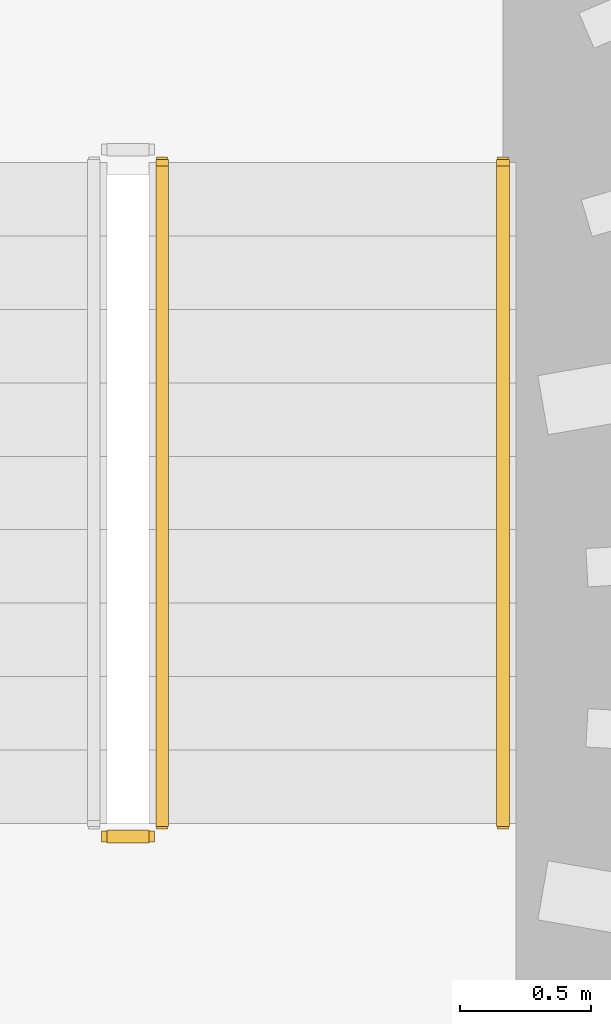
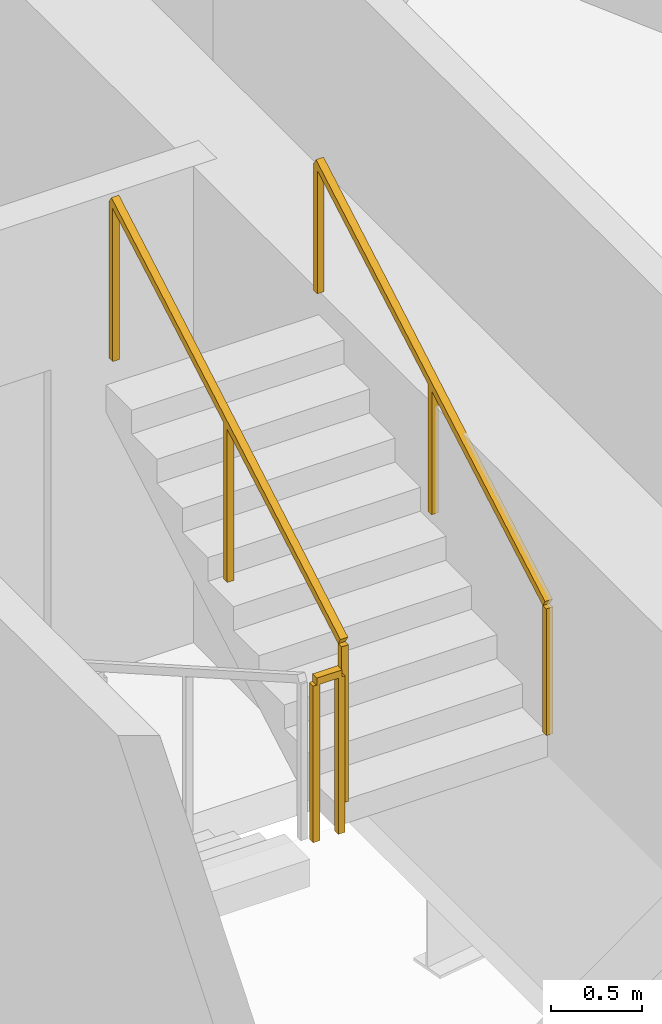
# One storey, part 12 of 14: 3 railings.
"""IFC4 building model written with IfcOpenShell, lengths in metres."""

from ifc_helpers import new_model, si_unit, direction, frame, origin, origin_2d, place, context, subcontext, project, spatial, rectangle, extrude, material, type_object, element, save


model = new_model("IFC4")

# Units and contexts
model_context = context("Model", 3, precision=1e-05, world=origin(), true_north=direction((0.0, 1.0)))
body_context = subcontext(model_context, "Body", "Model", "MODEL_VIEW")
ifc_project = project(units=[si_unit("LENGTHUNIT", "METRE"), si_unit("AREAUNIT", "SQUARE_METRE"), si_unit("VOLUMEUNIT", "CUBIC_METRE"), si_unit("PLANEANGLEUNIT", "RADIAN"), si_unit("MASSUNIT", "GRAM", prefix="KILO")], contexts=[model_context])

# Site, building, storey
site_placement = place(None, origin())
site = spatial("IfcSite", under=ifc_project, at=site_placement, CompositionType="ELEMENT")
building_placement = place(site_placement, origin())
building = spatial("IfcBuilding", under=site, at=building_placement, Name="Veldorim Arch Residences", CompositionType="ELEMENT")
storey_placement = place(building_placement, frame((0.0, 0.0, 129.760009765625)))
storey = spatial("IfcBuildingStorey", under=building, at=storey_placement, Name="L38", CompositionType="ELEMENT", Elevation=129.760009765625)

# Railings
ifc_material_1 = material(Name="Steel S355", Category="steel")
railing_type_1 = type_object("IfcRailingType", Name="Galvanised Steel Stair Safety Guardrail 1100", PredefinedType="GUARDRAIL", material=ifc_material_1)
railing_1_placement = place(storey_placement, frame((35.68994140625, 23.280029296875, 1.60009765625)))
element("IfcRailing", 1, at=railing_1_placement, inside=storey, type_object=railing_type_1, Name="L38 ST-2 stair guard 2", PredefinedType="GUARDRAIL", context=body_context, shape_type="SweptSolid", body=[
    extrude(rectangle(XDim=0.048095703125, YDim=0.048095703125, at=origin_2d()), frame((0.0, 0.0, 1.076171875), z_axis=(1.0, 0.0, 0.0), x_axis=(0.0, 1.0, 0.0)), (0.0, 0.0, 1.0), 0.16015625),
    extrude(rectangle(XDim=0.0419921875, YDim=0.0419921875, at=origin_2d()), origin(), (0.0, 0.0, 1.0), 1.052001953125),
    extrude(rectangle(XDim=0.0419921875, YDim=0.0419921875, at=origin_2d()), frame((0.16015625, 0.0, 0.0)), (0.0, 0.0, 1.0), 1.052001953125),
])
railing_2_placement = place(storey_placement, frame((35.89990234375, 23.330078125, 1.760009765625)))
element("IfcRailing", 2, at=railing_2_placement, inside=storey, type_object=railing_type_1, Name="L38 ST-2 stair guard 3", PredefinedType="GUARDRAIL", context=body_context, shape_type="SweptSolid", body=[
    extrude(rectangle(XDim=0.048095703125, YDim=0.048095703125, at=origin_2d()), frame((0.0, 0.0, 1.076171875), z_axis=(0.0, 0.868253494771, 0.496120820787), x_axis=(-1.0, 0.0, 0.0)), (0.0, 0.0, 1.0), 2.90234375),
    extrude(rectangle(XDim=0.0419921875, YDim=0.0419921875, at=origin_2d()), origin(), (0.0, 0.0, 1.0), 1.052001953125),
    extrude(rectangle(XDim=0.0419921875, YDim=0.0419921875, at=origin_2d()), frame((0.0, 1.260009765625, 0.719970703125)), (0.0, 0.0, 1.0), 1.052001953125),
    extrude(rectangle(XDim=0.0419921875, YDim=0.0419921875, at=origin_2d()), frame((0.0, 2.52001953125, 1.43994140625)), (0.0, 0.0, 1.0), 1.052001953125),
])
ifc_material_2 = material(Name="Stainless Steel", Category="steel")
railing_type_2 = type_object("IfcRailingType", Name="Tubular Steel Continuous Wall Handrail 900", PredefinedType="HANDRAIL", material=ifc_material_2)
railing_3_placement = place(storey_placement, frame((37.199951171875, 23.330078125, 1.760009765625)))
element("IfcRailing", 3, at=railing_3_placement, inside=storey, type_object=railing_type_2, Name="L38 ST-2 stair handrail 2", PredefinedType="HANDRAIL", context=body_context, shape_type="SweptSolid", body=[
    extrude(rectangle(XDim=0.048095703125, YDim=0.048095703125, at=origin_2d()), frame((0.0, 0.0, 0.8759765625), z_axis=(0.0, 0.868253494771, 0.496120820787), x_axis=(-1.0, 0.0, 0.0)), (0.0, 0.0, 1.0), 2.90234375),
    extrude(rectangle(XDim=0.0419921875, YDim=0.0419921875, at=origin_2d()), origin(), (0.0, 0.0, 1.0), 0.851806640625),
    extrude(rectangle(XDim=0.0419921875, YDim=0.0419921875, at=origin_2d()), frame((0.0, 1.260009765625, 0.719970703125)), (0.0, 0.0, 1.0), 0.851806640625),
    extrude(rectangle(XDim=0.0419921875, YDim=0.0419921875, at=origin_2d()), frame((0.0, 2.52001953125, 1.43994140625)), (0.0, 0.0, 1.0), 0.851806640625),
])

save(model, "model.ifc")
